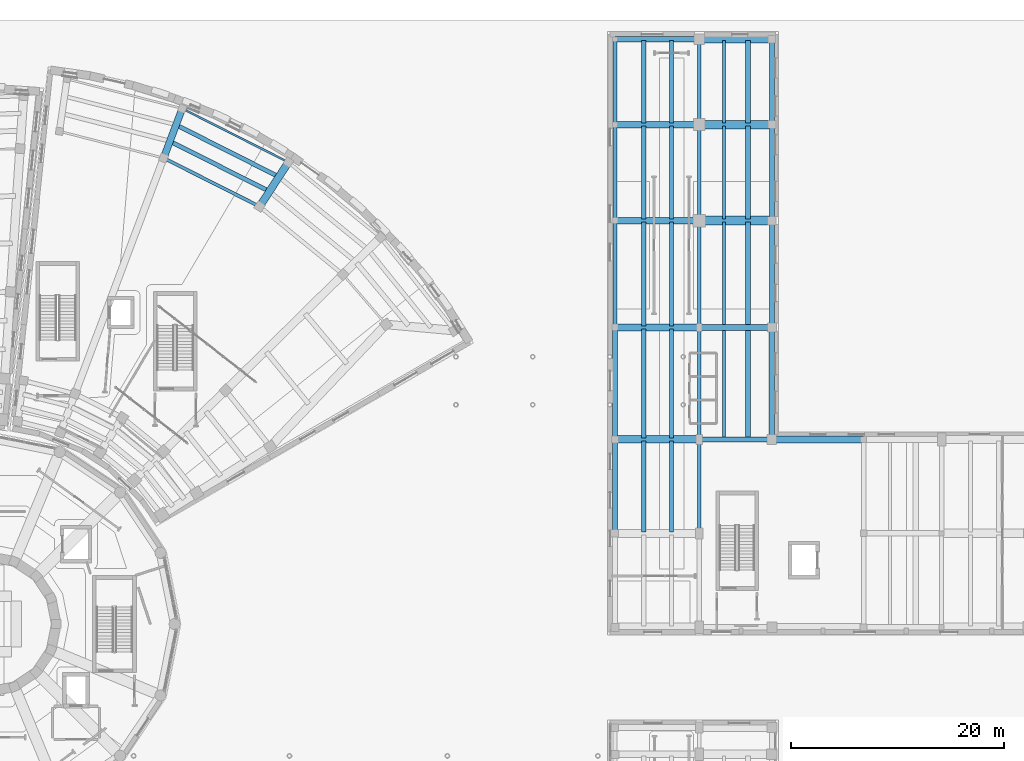
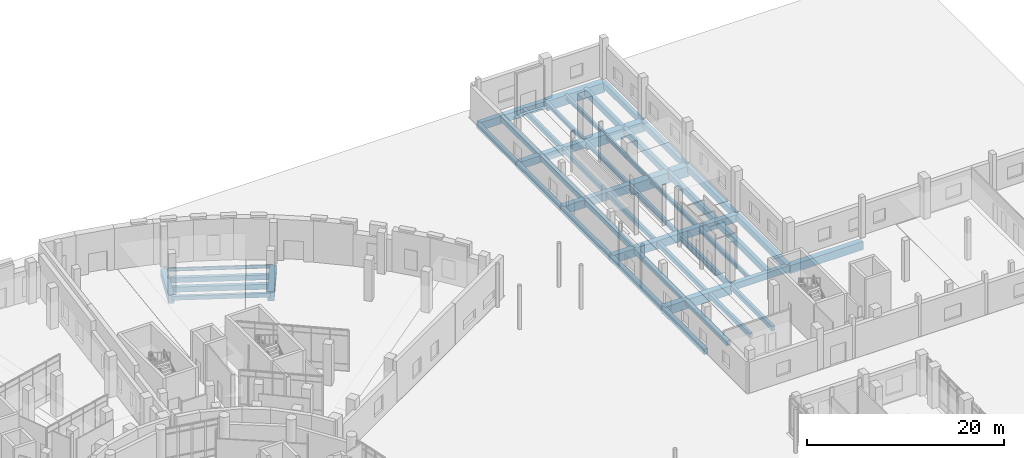
# One storey, part 29 of 74: 49 beams.
"""IFC4 building model written with IfcOpenShell, lengths in metres."""

from ifc_helpers import new_model, si_unit, direction, frame, origin, origin_2d, place, context, subcontext, project, spatial, rectangle, i_section, extrude, material, material_profile, profile_set, type_object, element, save


model = new_model("IFC4")

# Units and contexts
model_context = context("Model", 3, precision=1e-05, world=origin(), true_north=direction((0.0, 1.0)))
body_context = subcontext(model_context, "Body", "Model", "MODEL_VIEW")
ifc_project = project(units=[si_unit("LENGTHUNIT", "METRE"), si_unit("AREAUNIT", "SQUARE_METRE"), si_unit("VOLUMEUNIT", "CUBIC_METRE"), si_unit("PLANEANGLEUNIT", "RADIAN"), si_unit("MASSUNIT", "GRAM", prefix="KILO")], contexts=[model_context])

# Site, building, storey
site_placement = place(None, origin())
site = spatial("IfcSite", under=ifc_project, at=site_placement, CompositionType="ELEMENT")
building_placement = place(site_placement, origin())
building = spatial("IfcBuilding", under=site, at=building_placement, Name="Soyqirgoq Riverine Aquarium", CompositionType="ELEMENT")
storey_placement = place(building_placement, origin())
storey = spatial("IfcBuildingStorey", under=building, at=storey_placement, Name="L01", CompositionType="ELEMENT", Elevation=0.0)

# Beams
ifc_material_1 = material(Name="Concrete C40/50", Category="concrete")
ifc_material_profile_1 = material_profile(ifc_material_1, rectangle(XDim=0.39990234375, YDim=0.60009765625, at=origin_2d()), Name="RC 400x600")
ifc_profile_set_1 = profile_set([ifc_material_profile_1], Name="Concrete C40/50")
beam_type_1 = type_object("IfcBeamType", Name="Beam_RC_400x600", PredefinedType="JOIST", material=ifc_profile_set_1)
beam_1_placement = place(storey_placement, frame((83.0888671875, 98.968505859375, -0.64990234375), z_axis=(-0.892589750017, 0.45086975743, 0.0), x_axis=(-0.45086975743, -0.892589750017, 0.0)))
element("IfcBeam", 1, at=beam_1_placement, inside=storey, type_object=beam_type_1, Name="V5 L01 Secondary Floor Joist 0791", PredefinedType="JOIST", context=body_context, shape_type="SweptSolid", body=[
    extrude(rectangle(XDim=0.39990234375, YDim=0.60009765625, at=origin_2d()), origin(), (0.0, 0.0, 1.0), 10.512939453125),
])
beam_2_placement = place(storey_placement, frame((114.699951171875, 103.85009765625, -0.719970703125), z_axis=(0.0, 1.0, 0.0), x_axis=(-1.0, 0.0, 0.0)))
element("IfcBeam", 2, at=beam_2_placement, inside=storey, type_object=beam_type_1, Name="V7 L01 North-South Frame Beam 1219", PredefinedType="JOIST", context=body_context, shape_type="SweptSolid", body=[
    extrude(rectangle(XDim=0.39990234375, YDim=0.60009765625, at=origin_2d()), origin(), (0.0, 0.0, 1.0), 7.89990234375),
])
beam_3_placement = place(storey_placement, frame((117.385986328125, 65.639892578125, -0.719970703125), z_axis=(0.0, 1.0, 0.0), x_axis=(-1.0, 0.0, 0.0)))
element("IfcBeam", 3, at=beam_3_placement, inside=storey, type_object=beam_type_1, Name="V7 L01 Secondary Bay Joist 1265", PredefinedType="JOIST", context=body_context, shape_type="SweptSolid", body=[
    extrude(rectangle(XDim=0.39990234375, YDim=0.60009765625, at=origin_2d()), origin(), (0.0, 0.0, 1.0), 8.52001953125),
])
beam_4_placement = place(storey_placement, frame((117.385986328125, 74.43994140625, -0.719970703125), z_axis=(0.0, 1.0, 0.0), x_axis=(-1.0, 0.0, 0.0)))
element("IfcBeam", 4, at=beam_4_placement, inside=storey, type_object=beam_type_1, Name="V7 L01 Secondary Bay Joist 1273", PredefinedType="JOIST", context=body_context, shape_type="SweptSolid", body=[
    extrude(rectangle(XDim=0.39990234375, YDim=0.60009765625, at=origin_2d()), origin(), (0.0, 0.0, 1.0), 10.219970703125),
])
beam_5_placement = place(storey_placement, frame((117.385986328125, 84.93994140625, -0.719970703125), z_axis=(0.0, 1.0, 0.0), x_axis=(-1.0, 0.0, 0.0)))
element("IfcBeam", 5, at=beam_5_placement, inside=storey, type_object=beam_type_1, Name="V7 L01 Secondary Bay Joist 1277", PredefinedType="JOIST", context=body_context, shape_type="SweptSolid", body=[
    extrude(rectangle(XDim=0.39990234375, YDim=0.60009765625, at=origin_2d()), origin(), (0.0, 0.0, 1.0), 9.719970703125),
])
beam_6_placement = place(storey_placement, frame((117.385986328125, 94.93994140625, -0.719970703125), z_axis=(0.0, 1.0, 0.0), x_axis=(-1.0, 0.0, 0.0)))
element("IfcBeam", 6, at=beam_6_placement, inside=storey, type_object=beam_type_1, Name="V7 L01 Secondary Bay Joist 1281", PredefinedType="JOIST", context=body_context, shape_type="SweptSolid", body=[
    extrude(rectangle(XDim=0.39990234375, YDim=0.60009765625, at=origin_2d()), origin(), (0.0, 0.0, 1.0), 8.719970703125),
])
beam_7_placement = place(storey_placement, frame((117.385986328125, 103.93994140625, -0.719970703125), z_axis=(0.0, 1.0, 0.0), x_axis=(-1.0, 0.0, 0.0)))
element("IfcBeam", 7, at=beam_7_placement, inside=storey, type_object=beam_type_1, Name="V7 L01 Secondary Bay Joist 1285", PredefinedType="JOIST", context=body_context, shape_type="SweptSolid", body=[
    extrude(rectangle(XDim=0.39990234375, YDim=0.60009765625, at=origin_2d()), origin(), (0.0, 0.0, 1.0), 7.719970703125),
])
ifc_material_2 = material(Name="Concrete C40/50", Category="concrete")
ifc_material_profile_2 = material_profile(ifc_material_2, rectangle(XDim=0.39990234375, YDim=0.64990234375, at=origin_2d()), Name="RC 400x650")
ifc_profile_set_2 = profile_set([ifc_material_profile_2], Name="Concrete C40/50")
beam_type_2 = type_object("IfcBeamType", Name="Beam_RC_400x650", PredefinedType="BEAM", material=ifc_profile_set_2)
beam_8_placement = place(storey_placement, frame((82.19921875, 97.5986328125, -0.675048828125), z_axis=(-0.892588619562, 0.450871995392, 0.0), x_axis=(-0.450871995392, -0.892588619562, 0.0)))
element("IfcBeam", 8, at=beam_8_placement, inside=storey, type_object=beam_type_2, Name="V5 L01 Secondary Floor Joist 0790", PredefinedType="BEAM", context=body_context, shape_type="SweptSolid", body=[
    extrude(rectangle(XDim=0.39990234375, YDim=0.64990234375, at=origin_2d()), origin(), (0.0, 0.0, 1.0), 10.159912109375),
])
beam_9_placement = place(storey_placement, frame((114.699951171875, 94.85009765625, -0.7451171875), z_axis=(0.0, 1.0, 0.0), x_axis=(-1.0, 0.0, 0.0)))
element("IfcBeam", 9, at=beam_9_placement, inside=storey, type_object=beam_type_2, Name="V7 L01 North-South Frame Beam 1217", PredefinedType="BEAM", context=body_context, shape_type="SweptSolid", body=[
    extrude(rectangle(XDim=0.39990234375, YDim=0.64990234375, at=origin_2d()), origin(), (0.0, 0.0, 1.0), 8.89990234375),
])
ifc_material_3 = material(Name="Concrete C40/50", Category="concrete")
ifc_material_profile_3 = material_profile(ifc_material_3, rectangle(XDim=0.39990234375, YDim=0.699951171875, at=origin_2d()), Name="RC 400x700")
ifc_profile_set_3 = profile_set([ifc_material_profile_3], Name="Concrete C40/50")
beam_type_3 = type_object("IfcBeamType", Name="Beam_RC_400x700", PredefinedType="BEAM", material=ifc_profile_set_3)
beam_10_placement = place(storey_placement, frame((114.699951171875, 84.85009765625, -0.77001953125), z_axis=(0.0, 1.0, 0.0), x_axis=(-1.0, 0.0, 0.0)))
element("IfcBeam", 10, at=beam_10_placement, inside=storey, type_object=beam_type_3, Name="V7 L01 North-South Frame Beam 1215", PredefinedType="BEAM", context=body_context, shape_type="SweptSolid", body=[
    extrude(rectangle(XDim=0.39990234375, YDim=0.699951171875, at=origin_2d()), origin(), (0.0, 0.0, 1.0), 9.89990234375),
])
ifc_material_4 = material(Name="Concrete C40/50", Category="concrete")
ifc_material_profile_4 = material_profile(ifc_material_4, rectangle(XDim=0.449951171875, YDim=0.64990234375, at=origin_2d()), Name="RC 450x650")
ifc_profile_set_4 = profile_set([ifc_material_profile_4], Name="Concrete C40/50")
beam_type_4 = type_object("IfcBeamType", Name="Beam_RC_450x650", PredefinedType="BEAM", material=ifc_profile_set_4)
beam_11_placement = place(storey_placement, frame((114.699951171875, 74.35009765625, -0.7451171875), z_axis=(0.0, 1.0, 0.0), x_axis=(-1.0, 0.0, 0.0)))
element("IfcBeam", 11, at=beam_11_placement, inside=storey, type_object=beam_type_4, Name="V7 L01 North-South Frame Beam 1213", PredefinedType="BEAM", context=body_context, shape_type="SweptSolid", body=[
    extrude(rectangle(XDim=0.449951171875, YDim=0.64990234375, at=origin_2d()), origin(), (0.0, 0.0, 1.0), 10.39990234375),
])
ifc_material_5 = material(Name="Concrete C40/50", Category="concrete")
ifc_material_profile_5 = material_profile(ifc_material_5, rectangle(XDim=0.449951171875, YDim=0.699951171875, at=origin_2d()), Name="RC 450x700")
ifc_profile_set_5 = profile_set([ifc_material_profile_5], Name="Concrete C40/50")
beam_type_5 = type_object("IfcBeamType", Name="Beam_RC_450x700", PredefinedType="BEAM", material=ifc_profile_set_5)
beam_12_placement = place(storey_placement, frame((114.699951171875, 65.550048828125, -0.77001953125), z_axis=(0.0, 1.0, 0.0), x_axis=(-1.0, 0.0, 0.0)))
element("IfcBeam", 12, at=beam_12_placement, inside=storey, type_object=beam_type_5, Name="V7 L01 North-South Frame Beam 1211", PredefinedType="BEAM", context=body_context, shape_type="SweptSolid", body=[
    extrude(rectangle(XDim=0.449951171875, YDim=0.699951171875, at=origin_2d()), origin(), (0.0, 0.0, 1.0), 8.699951171875),
])
beam_13_placement = place(storey_placement, frame((129.39990234375, 103.85009765625, -0.77001953125), z_axis=(0.0, 1.0, 0.0), x_axis=(-1.0, 0.0, 0.0)))
element("IfcBeam", 13, at=beam_13_placement, inside=storey, type_object=beam_type_5, Name="V7 L01 North-South Frame Beam 1239", PredefinedType="BEAM", context=body_context, shape_type="SweptSolid", body=[
    extrude(rectangle(XDim=0.449951171875, YDim=0.699951171875, at=origin_2d()), origin(), (0.0, 0.0, 1.0), 7.89990234375),
])
ifc_material_6 = material(Name="Concrete C40/50", Category="concrete")
ifc_material_profile_6 = material_profile(ifc_material_6, rectangle(XDim=0.449951171875, YDim=0.75, at=origin_2d()), Name="RC 450x750")
ifc_profile_set_6 = profile_set([ifc_material_profile_6], Name="Concrete C40/50")
beam_type_6 = type_object("IfcBeamType", Name="Beam_RC_450x750", PredefinedType="BEAM", material=ifc_profile_set_6)
beam_14_placement = place(storey_placement, frame((129.39990234375, 94.85009765625, -0.794921875), z_axis=(0.0, 1.0, 0.0), x_axis=(-1.0, 0.0, 0.0)))
element("IfcBeam", 14, at=beam_14_placement, inside=storey, type_object=beam_type_6, Name="V7 L01 North-South Frame Beam 1238", PredefinedType="BEAM", context=body_context, shape_type="SweptSolid", body=[
    extrude(rectangle(XDim=0.449951171875, YDim=0.75, at=origin_2d()), origin(), (0.0, 0.0, 1.0), 8.89990234375),
])
beam_15_placement = place(storey_placement, frame((127.156005859375, 74.43994140625, -0.794921875), z_axis=(0.0, 1.0, 0.0), x_axis=(-1.0, 0.0, 0.0)))
element("IfcBeam", 15, at=beam_15_placement, inside=storey, type_object=beam_type_6, Name="V7 L01 Secondary Bay Joist 1276", PredefinedType="BEAM", context=body_context, shape_type="SweptSolid", body=[
    extrude(rectangle(XDim=0.449951171875, YDim=0.75, at=origin_2d()), origin(), (0.0, 0.0, 1.0), 10.219970703125),
])
beam_16_placement = place(storey_placement, frame((127.156005859375, 84.93994140625, -0.794921875), z_axis=(0.0, 1.0, 0.0), x_axis=(-1.0, 0.0, 0.0)))
element("IfcBeam", 16, at=beam_16_placement, inside=storey, type_object=beam_type_6, Name="V7 L01 Secondary Bay Joist 1280", PredefinedType="BEAM", context=body_context, shape_type="SweptSolid", body=[
    extrude(rectangle(XDim=0.449951171875, YDim=0.75, at=origin_2d()), origin(), (0.0, 0.0, 1.0), 9.719970703125),
])
beam_17_placement = place(storey_placement, frame((127.156005859375, 94.93994140625, -0.794921875), z_axis=(0.0, 1.0, 0.0), x_axis=(-1.0, 0.0, 0.0)))
element("IfcBeam", 17, at=beam_17_placement, inside=storey, type_object=beam_type_6, Name="V7 L01 Secondary Bay Joist 1284", PredefinedType="BEAM", context=body_context, shape_type="SweptSolid", body=[
    extrude(rectangle(XDim=0.449951171875, YDim=0.75, at=origin_2d()), origin(), (0.0, 0.0, 1.0), 8.719970703125),
])
beam_18_placement = place(storey_placement, frame((127.156005859375, 103.93994140625, -0.794921875), z_axis=(0.0, 1.0, 0.0), x_axis=(-1.0, 0.0, 0.0)))
element("IfcBeam", 18, at=beam_18_placement, inside=storey, type_object=beam_type_6, Name="V7 L01 Secondary Bay Joist 1288", PredefinedType="BEAM", context=body_context, shape_type="SweptSolid", body=[
    extrude(rectangle(XDim=0.449951171875, YDim=0.75, at=origin_2d()), origin(), (0.0, 0.0, 1.0), 7.719970703125),
])
ifc_material_7 = material(Name="Concrete C40/50", Category="concrete")
ifc_material_profile_7 = material_profile(ifc_material_7, rectangle(XDim=0.449951171875, YDim=0.800048828125, at=origin_2d()), Name="RC 450x800")
ifc_profile_set_7 = profile_set([ifc_material_profile_7], Name="Concrete C40/50")
beam_type_7 = type_object("IfcBeamType", Name="Beam_RC_450x800", PredefinedType="BEAM", material=ifc_profile_set_7)
beam_19_placement = place(storey_placement, frame((129.39990234375, 84.85009765625, -0.820068359375), z_axis=(0.0, 1.0, 0.0), x_axis=(-1.0, 0.0, 0.0)))
element("IfcBeam", 19, at=beam_19_placement, inside=storey, type_object=beam_type_7, Name="V7 L01 North-South Frame Beam 1237", PredefinedType="BEAM", context=body_context, shape_type="SweptSolid", body=[
    extrude(rectangle(XDim=0.449951171875, YDim=0.800048828125, at=origin_2d()), origin(), (0.0, 0.0, 1.0), 9.89990234375),
])
ifc_material_8 = material(Name="Concrete C40/50", Category="concrete")
ifc_material_profile_8 = material_profile(ifc_material_8, rectangle(XDim=0.5, YDim=0.75, at=origin_2d()), Name="RC 500x750")
ifc_profile_set_8 = profile_set([ifc_material_profile_8], Name="Concrete C40/50")
beam_type_8 = type_object("IfcBeamType", Name="Beam_RC_500x750", PredefinedType="BEAM", material=ifc_profile_set_8)
beam_20_placement = place(storey_placement, frame((129.39990234375, 74.35009765625, -0.794921875), z_axis=(0.0, 1.0, 0.0), x_axis=(-1.0, 0.0, 0.0)))
element("IfcBeam", 20, at=beam_20_placement, inside=storey, type_object=beam_type_8, Name="V7 L01 North-South Frame Beam 1235", PredefinedType="BEAM", context=body_context, shape_type="SweptSolid", body=[
    extrude(rectangle(XDim=0.5, YDim=0.75, at=origin_2d()), origin(), (0.0, 0.0, 1.0), 10.39990234375),
])
ifc_material_9 = material(Name="Concrete C40/50", Category="concrete")
ifc_material_profile_9 = material_profile(ifc_material_9, rectangle(XDim=0.5, YDim=0.800048828125, at=origin_2d()), Name="RC 500x800")
ifc_profile_set_9 = profile_set([ifc_material_profile_9], Name="Concrete C40/50")
beam_type_9 = type_object("IfcBeamType", Name="Girder_RC_500x800", PredefinedType="BEAM", material=ifc_profile_set_9)
beam_21_placement = place(storey_placement, frame((122.6201171875, 74.300048828125, -0.820068359375), z_axis=(1.0, 0.0, 0.0), x_axis=(0.0, 1.0, 0.0)))
element("IfcBeam", 21, at=beam_21_placement, inside=storey, type_object=beam_type_9, Name="V7 L01 East-West Frame Girder 1226", PredefinedType="BEAM", context=body_context, shape_type="SweptSolid", body=[
    extrude(rectangle(XDim=0.5, YDim=0.800048828125, at=origin_2d()), origin(), (0.0, 0.0, 1.0), 6.759765625),
])
ifc_material_10 = material(Name="Concrete C40/50", Category="concrete")
ifc_material_profile_10 = material_profile(ifc_material_10, rectangle(XDim=0.550048828125, YDim=0.949951171875, at=origin_2d()), Name="RC 550x950")
ifc_profile_set_10 = profile_set([ifc_material_profile_10], Name="Concrete C40/50")
beam_type_10 = type_object("IfcBeamType", Name="Girder_RC_550x950", PredefinedType="BEAM", material=ifc_profile_set_10)
beam_22_placement = place(storey_placement, frame((114.719970703125, 111.800048828125, -0.89501953125), z_axis=(1.0, 0.0, 0.0), x_axis=(0.0, 1.0, 0.0)))
element("IfcBeam", 22, at=beam_22_placement, inside=storey, type_object=beam_type_10, Name="V7 L01 East-West Frame Girder 1221", PredefinedType="BEAM", context=body_context, shape_type="SweptSolid", body=[
    extrude(rectangle(XDim=0.550048828125, YDim=0.949951171875, at=origin_2d()), origin(), (0.0, 0.0, 1.0), 7.860107421875),
])
ifc_material_11 = material(Name="Concrete C40/50", Category="concrete")
ifc_material_profile_11 = material_profile(ifc_material_11, rectangle(XDim=0.580078125, YDim=0.919921875, at=origin_2d()), Name="RC 580x920")
ifc_profile_set_11 = profile_set([ifc_material_profile_11], Name="Concrete C40/50")
beam_type_11 = type_object("IfcBeamType", Name="Girder_RC_580x920", PredefinedType="BEAM", material=ifc_profile_set_11)
beam_23_placement = place(storey_placement, frame((122.6201171875, 84.800048828125, -0.8798828125), z_axis=(1.0, 0.0, 0.0), x_axis=(0.0, 1.0, 0.0)))
element("IfcBeam", 23, at=beam_23_placement, inside=storey, type_object=beam_type_11, Name="V7 L01 East-West Frame Girder 1228", PredefinedType="BEAM", context=body_context, shape_type="SweptSolid", body=[
    extrude(rectangle(XDim=0.580078125, YDim=0.919921875, at=origin_2d()), origin(), (0.0, 0.0, 1.0), 6.759765625),
])
ifc_material_12 = material(Name="Concrete C40/50", Category="concrete")
ifc_material_profile_12 = material_profile(ifc_material_12, rectangle(XDim=0.60009765625, YDim=1.0, at=origin_2d()), Name="RC 600x1000")
ifc_profile_set_12 = profile_set([ifc_material_profile_12], Name="Concrete C40/50")
beam_type_12 = type_object("IfcBeamType", Name="Girder_RC_600x1000", PredefinedType="BEAM", material=ifc_profile_set_12)
beam_24_placement = place(storey_placement, frame((114.719970703125, 94.800048828125, -0.919921875), z_axis=(1.0, 0.0, 0.0), x_axis=(0.0, 1.0, 0.0)))
element("IfcBeam", 24, at=beam_24_placement, inside=storey, type_object=beam_type_12, Name="V7 L01 East-West Frame Girder 1218", PredefinedType="BEAM", context=body_context, shape_type="SweptSolid", body=[
    extrude(rectangle(XDim=0.60009765625, YDim=1.0, at=origin_2d()), origin(), (0.0, 0.0, 1.0), 7.860107421875),
])
ifc_material_13 = material(Name="Concrete C40/50", Category="concrete")
ifc_material_profile_13 = material_profile(ifc_material_13, rectangle(XDim=0.60009765625, YDim=0.89990234375, at=origin_2d()), Name="RC 600x900")
ifc_profile_set_13 = profile_set([ifc_material_profile_13], Name="Concrete C40/50")
beam_type_13 = type_object("IfcBeamType", Name="Girder_RC_600x900", PredefinedType="BEAM", material=ifc_profile_set_13)
beam_25_placement = place(storey_placement, frame((114.719970703125, 103.800048828125, -0.8701171875), z_axis=(1.0, 0.0, 0.0), x_axis=(0.0, 1.0, 0.0)))
element("IfcBeam", 25, at=beam_25_placement, inside=storey, type_object=beam_type_13, Name="V7 L01 East-West Frame Girder 1220", PredefinedType="BEAM", context=body_context, shape_type="SweptSolid", body=[
    extrude(rectangle(XDim=0.60009765625, YDim=0.89990234375, at=origin_2d()), origin(), (0.0, 0.0, 1.0), 7.860107421875),
])
ifc_material_14 = material(Name="Concrete C40/50", Category="concrete")
ifc_material_profile_14 = material_profile(ifc_material_14, rectangle(XDim=0.64990234375, YDim=1.0, at=origin_2d()), Name="RC 650x1000")
ifc_profile_set_14 = profile_set([ifc_material_profile_14], Name="Concrete C40/50")
beam_type_14 = type_object("IfcBeamType", Name="Girder_RC_650x1000", PredefinedType="BEAM", material=ifc_profile_set_14)
beam_26_placement = place(storey_placement, frame((72.430908203125, 100.714111328125, -0.85009765625), z_axis=(0.35186806863, 0.936049604604, 0.0), x_axis=(-0.936049604604, 0.35186806863, 0.0)))
element("IfcBeam", 26, at=beam_26_placement, inside=storey, type_object=beam_type_14, Name="V5 L01 Wedge Radial Girder 0758", PredefinedType="BEAM", context=body_context, shape_type="SweptSolid", body=[
    extrude(rectangle(XDim=0.64990234375, YDim=1.0, at=origin_2d()), origin(), (0.0, 0.0, 1.0), 4.849853515625),
])
beam_27_placement = place(storey_placement, frame((114.719970703125, 84.800048828125, -0.919921875), z_axis=(1.0, 0.0, 0.0), x_axis=(0.0, 1.0, 0.0)))
element("IfcBeam", 27, at=beam_27_placement, inside=storey, type_object=beam_type_14, Name="V7 L01 East-West Frame Girder 1216", PredefinedType="BEAM", context=body_context, shape_type="SweptSolid", body=[
    extrude(rectangle(XDim=0.64990234375, YDim=1.0, at=origin_2d()), origin(), (0.0, 0.0, 1.0), 7.860107421875),
])
beam_28_placement = place(storey_placement, frame((129.419921875, 74.300048828125, -0.919921875), z_axis=(1.0, 0.0, 0.0), x_axis=(0.0, 1.0, 0.0)))
element("IfcBeam", 28, at=beam_28_placement, inside=storey, type_object=beam_type_14, Name="V7 L01 East-West Frame Girder 1236", PredefinedType="BEAM", context=body_context, shape_type="SweptSolid", body=[
    extrude(rectangle(XDim=0.64990234375, YDim=1.0, at=origin_2d()), origin(), (0.0, 0.0, 1.0), 8.56005859375),
])
ifc_material_15 = material(Name="Concrete C40/50", Category="concrete")
ifc_material_profile_15 = material_profile(ifc_material_15, rectangle(XDim=0.699951171875, YDim=1.10009765625, at=origin_2d()), Name="RC 700x1100")
ifc_profile_set_15 = profile_set([ifc_material_profile_15], Name="Concrete C40/50")
beam_type_15 = type_object("IfcBeamType", Name="Girder_RC_700x1100", PredefinedType="BEAM", material=ifc_profile_set_15)
beam_29_placement = place(storey_placement, frame((81.4345703125, 96.166015625, -0.89990234375), z_axis=(0.544669820921, 0.838650574541, 0.0), x_axis=(-0.838650574541, 0.544669820921, 0.0)))
element("IfcBeam", 29, at=beam_29_placement, inside=storey, type_object=beam_type_15, Name="V5 L01 Wedge Radial Girder 0755", PredefinedType="BEAM", context=body_context, shape_type="SweptSolid", body=[
    extrude(rectangle(XDim=0.699951171875, YDim=1.10009765625, at=origin_2d()), origin(), (0.0, 0.0, 1.0), 4.849853515625),
])
beam_30_placement = place(storey_placement, frame((114.719970703125, 74.300048828125, -0.969970703125), z_axis=(1.0, 0.0, 0.0), x_axis=(0.0, 1.0, 0.0)))
element("IfcBeam", 30, at=beam_30_placement, inside=storey, type_object=beam_type_15, Name="V7 L01 East-West Frame Girder 1214", PredefinedType="BEAM", context=body_context, shape_type="SweptSolid", body=[
    extrude(rectangle(XDim=0.699951171875, YDim=1.10009765625, at=origin_2d()), origin(), (0.0, 0.0, 1.0), 7.860107421875),
])
ifc_material_16 = material(Name="Concrete C40/50", Category="concrete")
ifc_material_profile_16 = material_profile(ifc_material_16, rectangle(XDim=0.75, YDim=1.199951171875, at=origin_2d()), Name="RC 750x1200")
ifc_profile_set_16 = profile_set([ifc_material_profile_16], Name="Concrete C40/50")
beam_type_16 = type_object("IfcBeamType", Name="Girder_RC_750x1200", PredefinedType="BEAM", material=ifc_profile_set_16)
beam_31_placement = place(storey_placement, frame((122.6201171875, 111.800048828125, -1.02001953125), z_axis=(1.0, 0.0, 0.0), x_axis=(0.0, 1.0, 0.0)))
element("IfcBeam", 31, at=beam_31_placement, inside=storey, type_object=beam_type_16, Name="V7 L01 East-West Frame Girder 1233", PredefinedType="BEAM", context=body_context, shape_type="SweptSolid", body=[
    extrude(rectangle(XDim=0.75, YDim=1.199951171875, at=origin_2d()), origin(), (0.0, 0.0, 1.0), 6.759765625),
])
ifc_material_17 = material(Name="Concrete C40/50", Category="concrete")
ifc_material_profile_17 = material_profile(ifc_material_17, rectangle(XDim=0.800048828125, YDim=1.199951171875, at=origin_2d()), Name="RC 800x1200")
ifc_profile_set_17 = profile_set([ifc_material_profile_17], Name="Concrete C40/50")
beam_type_17 = type_object("IfcBeamType", Name="Girder_RC_800x1200", PredefinedType="BEAM", material=ifc_profile_set_17)
beam_32_placement = place(storey_placement, frame((122.6201171875, 103.800048828125, -1.02001953125), z_axis=(1.0, 0.0, 0.0), x_axis=(0.0, 1.0, 0.0)))
element("IfcBeam", 32, at=beam_32_placement, inside=storey, type_object=beam_type_17, Name="V7 L01 East-West Frame Girder 1232", PredefinedType="BEAM", context=body_context, shape_type="SweptSolid", body=[
    extrude(rectangle(XDim=0.800048828125, YDim=1.199951171875, at=origin_2d()), origin(), (0.0, 0.0, 1.0), 6.759765625),
])
ifc_material_18 = material(Name="Concrete C40/50", Category="concrete")
ifc_material_profile_18 = material_profile(ifc_material_18, rectangle(XDim=0.85009765625, YDim=1.300048828125, at=origin_2d()), Name="RC 850x1300")
ifc_profile_set_18 = profile_set([ifc_material_profile_18], Name="Concrete C40/50")
beam_type_18 = type_object("IfcBeamType", Name="Girder_RC_850x1300", PredefinedType="BEAM", material=ifc_profile_set_18)
beam_33_placement = place(storey_placement, frame((122.6201171875, 94.800048828125, -1.070068359375), z_axis=(1.0, 0.0, 0.0), x_axis=(0.0, 1.0, 0.0)))
element("IfcBeam", 33, at=beam_33_placement, inside=storey, type_object=beam_type_18, Name="V7 L01 East-West Frame Girder 1230", PredefinedType="BEAM", context=body_context, shape_type="SweptSolid", body=[
    extrude(rectangle(XDim=0.85009765625, YDim=1.300048828125, at=origin_2d()), origin(), (0.0, 0.0, 1.0), 6.759765625),
])
ifc_material_19 = material(Name="Concrete C40/50", Category="concrete")
ifc_material_profile_19 = material_profile(ifc_material_19, rectangle(XDim=0.300048828125, YDim=0.5, at=origin_2d()), Name="RC 300x500")
ifc_profile_set_19 = profile_set([ifc_material_profile_19], Name="Concrete C40/50")
beam_type_19 = type_object("IfcBeamType", Name="Spandrel_RC_300x500", PredefinedType="SPANDREL", material=ifc_profile_set_19)
beam_34_placement = place(storey_placement, frame((81.36279296875, 96.146484375, -0.60009765625), z_axis=(-0.892579349445, 0.450890346919, 0.0), x_axis=(-0.450890346919, -0.892579349445, 0.0)))
element("IfcBeam", 34, at=beam_34_placement, inside=storey, type_object=beam_type_19, Name="V5 L01 Wedge Chord Beam 0784", PredefinedType="SPANDREL", context=body_context, shape_type="SweptSolid", body=[
    extrude(rectangle(XDim=0.300048828125, YDim=0.5, at=origin_2d()), origin(), (0.0, 0.0, 1.0), 9.9765625),
])
ifc_material_20 = material(Name="Structural steel S355", Category="steel")
ifc_material_profile_20 = material_profile(ifc_material_20, i_section(OverallWidth=0.179931640625, OverallDepth=0.39990234375, WebThickness=0.008544921875, FlangeThickness=0.013427734375, FilletRadius=0.02099609375, at=origin_2d()), Name="IPE 400")
ifc_profile_set_20 = profile_set([ifc_material_profile_20], Name="Structural steel S355")
beam_type_20 = type_object("IfcBeamType", Name="Spandrel_Steel_IPE400", PredefinedType="SPANDREL", material=ifc_profile_set_20)
beam_35_placement = place(storey_placement, frame((84.058837890625, 100.2978515625, -0.550048828125), z_axis=(-0.892576221627, 0.450896538672, 0.0), x_axis=(-0.450896538672, -0.892576221627, 0.0)))
element("IfcBeam", 35, at=beam_35_placement, inside=storey, type_object=beam_type_20, Name="V5 L01 Wedge Chord Beam 0796", PredefinedType="SPANDREL", context=body_context, shape_type="SweptSolid", body=[
    extrude(i_section(OverallWidth=0.179931640625, OverallDepth=0.39990234375, WebThickness=0.008544921875, FlangeThickness=0.013427734375, FilletRadius=0.02099609375, at=origin_2d()), origin(), (0.0, 0.0, 1.0), 11.045654296875),
])
ifc_material_21 = material(Name="Structural steel S355", Category="steel")
ifc_material_profile_21 = material_profile(ifc_material_21, i_section(OverallWidth=0.300048828125, OverallDepth=0.489990234375, WebThickness=0.011962890625, FlangeThickness=0.02294921875, FilletRadius=0.027099609375, at=origin_2d()), Name="HEA 500")
ifc_profile_set_21 = profile_set([ifc_material_profile_21], Name="Structural steel S355")
beam_type_21 = type_object("IfcBeamType", Name="SteelBeam_HEA500", PredefinedType="BEAM", material=ifc_profile_set_21)
beam_36_placement = place(storey_placement, frame((122.60009765625, 103.85009765625, -0.6650390625), z_axis=(0.0, 1.0, 0.0), x_axis=(-1.0, 0.0, 0.0)))
element("IfcBeam", 36, at=beam_36_placement, inside=storey, type_object=beam_type_21, Name="V7 L01 North-South Frame Beam 1231", PredefinedType="BEAM", context=body_context, shape_type="SweptSolid", body=[
    extrude(i_section(OverallWidth=0.300048828125, OverallDepth=0.489990234375, WebThickness=0.011962890625, FlangeThickness=0.02294921875, FilletRadius=0.027099609375, at=origin_2d()), origin(), (0.0, 0.0, 1.0), 7.89990234375),
])
beam_37_placement = place(storey_placement, frame((124.912109375, 74.43994140625, -0.6650390625), z_axis=(0.0, 1.0, 0.0), x_axis=(-1.0, 0.0, 0.0)))
element("IfcBeam", 37, at=beam_37_placement, inside=storey, type_object=beam_type_21, Name="V7 L01 Secondary Bay Joist 1275", PredefinedType="BEAM", context=body_context, shape_type="SweptSolid", body=[
    extrude(i_section(OverallWidth=0.300048828125, OverallDepth=0.489990234375, WebThickness=0.011962890625, FlangeThickness=0.02294921875, FilletRadius=0.027099609375, at=origin_2d()), origin(), (0.0, 0.0, 1.0), 10.219970703125),
])
beam_38_placement = place(storey_placement, frame((124.912109375, 84.93994140625, -0.6650390625), z_axis=(0.0, 1.0, 0.0), x_axis=(-1.0, 0.0, 0.0)))
element("IfcBeam", 38, at=beam_38_placement, inside=storey, type_object=beam_type_21, Name="V7 L01 Secondary Bay Joist 1279", PredefinedType="BEAM", context=body_context, shape_type="SweptSolid", body=[
    extrude(i_section(OverallWidth=0.300048828125, OverallDepth=0.489990234375, WebThickness=0.011962890625, FlangeThickness=0.02294921875, FilletRadius=0.027099609375, at=origin_2d()), origin(), (0.0, 0.0, 1.0), 9.719970703125),
])
beam_39_placement = place(storey_placement, frame((124.912109375, 94.93994140625, -0.6650390625), z_axis=(0.0, 1.0, 0.0), x_axis=(-1.0, 0.0, 0.0)))
element("IfcBeam", 39, at=beam_39_placement, inside=storey, type_object=beam_type_21, Name="V7 L01 Secondary Bay Joist 1283", PredefinedType="BEAM", context=body_context, shape_type="SweptSolid", body=[
    extrude(i_section(OverallWidth=0.300048828125, OverallDepth=0.489990234375, WebThickness=0.011962890625, FlangeThickness=0.02294921875, FilletRadius=0.027099609375, at=origin_2d()), origin(), (0.0, 0.0, 1.0), 8.719970703125),
])
beam_40_placement = place(storey_placement, frame((124.912109375, 103.93994140625, -0.6650390625), z_axis=(0.0, 1.0, 0.0), x_axis=(-1.0, 0.0, 0.0)))
element("IfcBeam", 40, at=beam_40_placement, inside=storey, type_object=beam_type_21, Name="V7 L01 Secondary Bay Joist 1287", PredefinedType="BEAM", context=body_context, shape_type="SweptSolid", body=[
    extrude(i_section(OverallWidth=0.300048828125, OverallDepth=0.489990234375, WebThickness=0.011962890625, FlangeThickness=0.02294921875, FilletRadius=0.027099609375, at=origin_2d()), origin(), (0.0, 0.0, 1.0), 7.719970703125),
])
ifc_material_22 = material(Name="Structural steel S355", Category="steel")
ifc_material_profile_22 = material_profile(ifc_material_22, i_section(OverallWidth=0.300048828125, OverallDepth=0.5400390625, WebThickness=0.012451171875, FlangeThickness=0.02392578125, FilletRadius=0.027099609375, at=origin_2d()), Name="HEA 550")
ifc_profile_set_22 = profile_set([ifc_material_profile_22], Name="Structural steel S355")
beam_type_22 = type_object("IfcBeamType", Name="SteelBeam_HEA550", PredefinedType="BEAM", material=ifc_profile_set_22)
beam_41_placement = place(storey_placement, frame((122.60009765625, 94.85009765625, -0.68994140625), z_axis=(0.0, 1.0, 0.0), x_axis=(-1.0, 0.0, 0.0)))
element("IfcBeam", 41, at=beam_41_placement, inside=storey, type_object=beam_type_22, Name="V7 L01 North-South Frame Beam 1229", PredefinedType="BEAM", context=body_context, shape_type="SweptSolid", body=[
    extrude(i_section(OverallWidth=0.300048828125, OverallDepth=0.5400390625, WebThickness=0.012451171875, FlangeThickness=0.02392578125, FilletRadius=0.027099609375, at=origin_2d()), origin(), (0.0, 0.0, 1.0), 8.89990234375),
])
ifc_material_23 = material(Name="Structural steel S355", Category="steel")
ifc_material_profile_23 = material_profile(ifc_material_23, i_section(OverallWidth=0.300048828125, OverallDepth=0.590087890625, WebThickness=0.012939453125, FlangeThickness=0.02490234375, FilletRadius=0.027099609375, at=origin_2d()), Name="HEA 600")
ifc_profile_set_23 = profile_set([ifc_material_profile_23], Name="Structural steel S355")
beam_type_23 = type_object("IfcBeamType", Name="SteelBeam_HEA600", PredefinedType="BEAM", material=ifc_profile_set_23)
beam_42_placement = place(storey_placement, frame((122.60009765625, 84.85009765625, -0.715087890625), z_axis=(0.0, 1.0, 0.0), x_axis=(-1.0, 0.0, 0.0)))
element("IfcBeam", 42, at=beam_42_placement, inside=storey, type_object=beam_type_23, Name="V7 L01 North-South Frame Beam 1227", PredefinedType="BEAM", context=body_context, shape_type="SweptSolid", body=[
    extrude(i_section(OverallWidth=0.300048828125, OverallDepth=0.590087890625, WebThickness=0.012939453125, FlangeThickness=0.02490234375, FilletRadius=0.027099609375, at=origin_2d()), origin(), (0.0, 0.0, 1.0), 9.89990234375),
])
ifc_material_24 = material(Name="Structural steel S355", Category="steel")
ifc_material_profile_24 = material_profile(ifc_material_24, i_section(OverallWidth=0.300048828125, OverallDepth=0.68994140625, WebThickness=0.014404296875, FlangeThickness=0.027099609375, FilletRadius=0.027099609375, at=origin_2d()), Name="HEA 700")
ifc_profile_set_24 = profile_set([ifc_material_profile_24], Name="Structural steel S355")
beam_type_24 = type_object("IfcBeamType", Name="SteelBeam_HEA700", PredefinedType="BEAM", material=ifc_profile_set_24)
beam_43_placement = place(storey_placement, frame((122.60009765625, 74.35009765625, -0.764892578125), z_axis=(0.0, 1.0, 0.0), x_axis=(-1.0, 0.0, 0.0)))
element("IfcBeam", 43, at=beam_43_placement, inside=storey, type_object=beam_type_24, Name="V7 L01 North-South Frame Beam 1225", PredefinedType="BEAM", context=body_context, shape_type="SweptSolid", body=[
    extrude(i_section(OverallWidth=0.300048828125, OverallDepth=0.68994140625, WebThickness=0.014404296875, FlangeThickness=0.027099609375, FilletRadius=0.027099609375, at=origin_2d()), origin(), (0.0, 0.0, 1.0), 10.39990234375),
])
ifc_material_25 = material(Name="Concrete C40/50", Category="concrete")
ifc_material_profile_25 = material_profile(ifc_material_25, rectangle(XDim=0.35009765625, YDim=0.550048828125, at=origin_2d()), Name="RC 350x550")
ifc_profile_set_25 = profile_set([ifc_material_profile_25], Name="Concrete C40/50")
beam_type_25 = type_object("IfcBeamType", Name="TBeam_RC_350x550", PredefinedType="T_BEAM", material=ifc_profile_set_25)
beam_44_placement = place(storey_placement, frame((122.60009765625, 65.550048828125, -0.695068359375), z_axis=(0.0, 1.0, 0.0), x_axis=(-1.0, 0.0, 0.0)))
element("IfcBeam", 44, at=beam_44_placement, inside=storey, type_object=beam_type_25, Name="V7 L01 North-South Frame Beam 1224", PredefinedType="T_BEAM", context=body_context, shape_type="SweptSolid", body=[
    extrude(rectangle(XDim=0.35009765625, YDim=0.550048828125, at=origin_2d()), origin(), (0.0, 0.0, 1.0), 8.699951171875),
])
beam_45_placement = place(storey_placement, frame((119.992919921875, 65.639892578125, -0.695068359375), z_axis=(0.0, 1.0, 0.0), x_axis=(-1.0, 0.0, 0.0)))
element("IfcBeam", 45, at=beam_45_placement, inside=storey, type_object=beam_type_25, Name="V7 L01 Secondary Bay Joist 1266", PredefinedType="T_BEAM", context=body_context, shape_type="SweptSolid", body=[
    extrude(rectangle(XDim=0.35009765625, YDim=0.550048828125, at=origin_2d()), origin(), (0.0, 0.0, 1.0), 8.52001953125),
])
beam_46_placement = place(storey_placement, frame((119.992919921875, 74.43994140625, -0.695068359375), z_axis=(0.0, 1.0, 0.0), x_axis=(-1.0, 0.0, 0.0)))
element("IfcBeam", 46, at=beam_46_placement, inside=storey, type_object=beam_type_25, Name="V7 L01 Secondary Bay Joist 1274", PredefinedType="T_BEAM", context=body_context, shape_type="SweptSolid", body=[
    extrude(rectangle(XDim=0.35009765625, YDim=0.550048828125, at=origin_2d()), origin(), (0.0, 0.0, 1.0), 10.219970703125),
])
beam_47_placement = place(storey_placement, frame((119.992919921875, 84.93994140625, -0.695068359375), z_axis=(0.0, 1.0, 0.0), x_axis=(-1.0, 0.0, 0.0)))
element("IfcBeam", 47, at=beam_47_placement, inside=storey, type_object=beam_type_25, Name="V7 L01 Secondary Bay Joist 1278", PredefinedType="T_BEAM", context=body_context, shape_type="SweptSolid", body=[
    extrude(rectangle(XDim=0.35009765625, YDim=0.550048828125, at=origin_2d()), origin(), (0.0, 0.0, 1.0), 9.719970703125),
])
beam_48_placement = place(storey_placement, frame((119.992919921875, 94.93994140625, -0.695068359375), z_axis=(0.0, 1.0, 0.0), x_axis=(-1.0, 0.0, 0.0)))
element("IfcBeam", 48, at=beam_48_placement, inside=storey, type_object=beam_type_25, Name="V7 L01 Secondary Bay Joist 1282", PredefinedType="T_BEAM", context=body_context, shape_type="SweptSolid", body=[
    extrude(rectangle(XDim=0.35009765625, YDim=0.550048828125, at=origin_2d()), origin(), (0.0, 0.0, 1.0), 8.719970703125),
])
beam_49_placement = place(storey_placement, frame((119.992919921875, 103.93994140625, -0.695068359375), z_axis=(0.0, 1.0, 0.0), x_axis=(-1.0, 0.0, 0.0)))
element("IfcBeam", 49, at=beam_49_placement, inside=storey, type_object=beam_type_25, Name="V7 L01 Secondary Bay Joist 1286", PredefinedType="T_BEAM", context=body_context, shape_type="SweptSolid", body=[
    extrude(rectangle(XDim=0.35009765625, YDim=0.550048828125, at=origin_2d()), origin(), (0.0, 0.0, 1.0), 7.719970703125),
])

save(model, "model.ifc")
